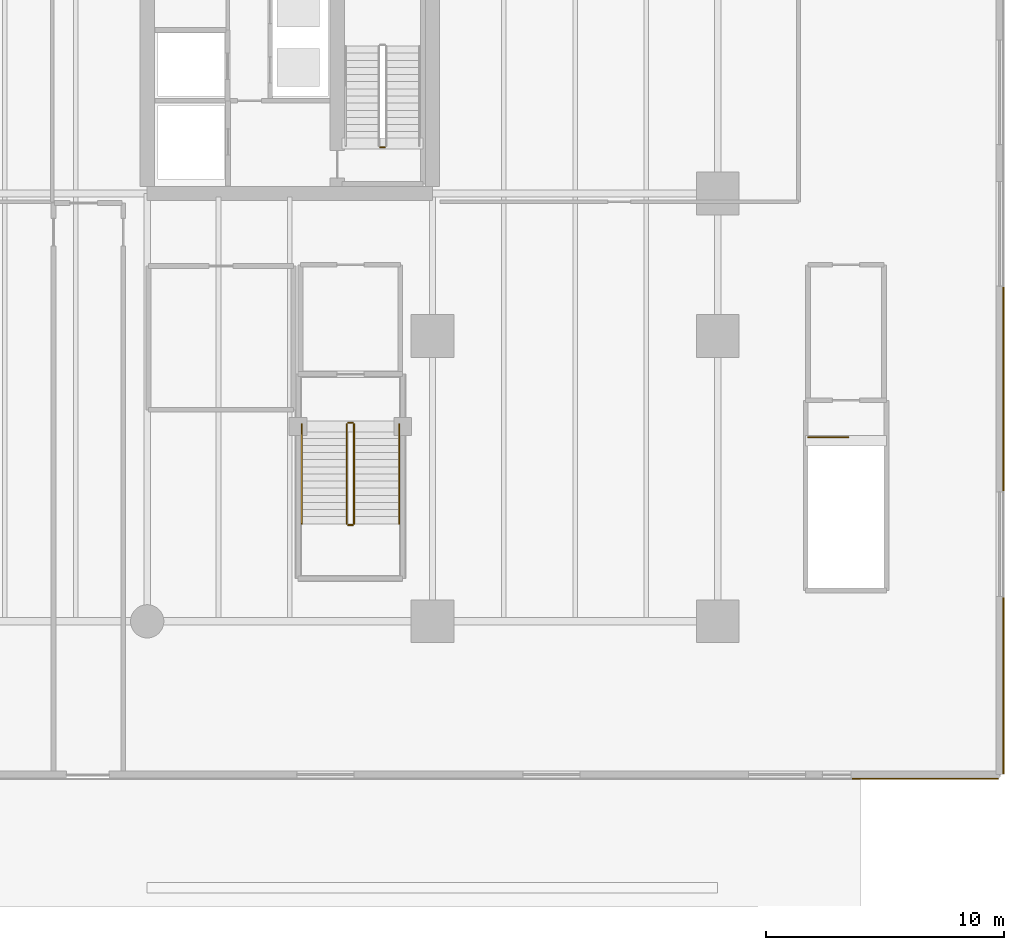
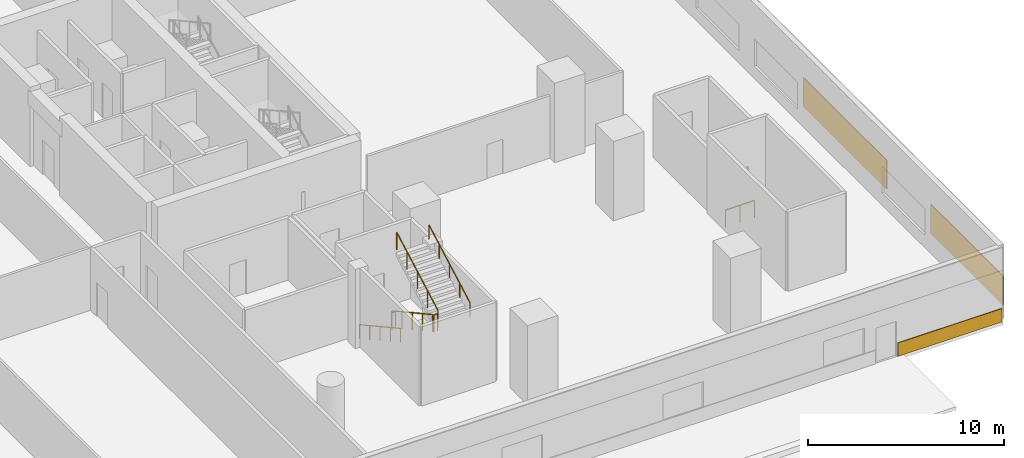
# One storey, part 22 of 25: 8 railings, 3 coverings.
"""IFC4 building model written with IfcOpenShell, lengths in metres."""

from ifc_helpers import new_model, si_unit, direction, frame, origin, origin_2d, place, context, subcontext, project, spatial, rectangle, extrude, material, layer, layer_set, type_object, element, save


model = new_model("IFC4")

# Units and contexts
model_context = context("Model", 3, precision=1e-05, world=origin(), true_north=direction((0.0, 1.0)))
body_context = subcontext(model_context, "Body", "Model", "MODEL_VIEW")
ifc_project = project(units=[si_unit("LENGTHUNIT", "METRE"), si_unit("AREAUNIT", "SQUARE_METRE"), si_unit("VOLUMEUNIT", "CUBIC_METRE"), si_unit("PLANEANGLEUNIT", "RADIAN"), si_unit("MASSUNIT", "GRAM", prefix="KILO")], contexts=[model_context])

# Site, building, storey
site_placement = place(None, origin())
site = spatial("IfcSite", under=ifc_project, at=site_placement, CompositionType="ELEMENT")
building_placement = place(site_placement, origin())
building = spatial("IfcBuilding", under=site, at=building_placement, Name="Tanjung Sevakor Pilgrim Tower", CompositionType="ELEMENT")
storey_placement = place(building_placement, origin())
storey = spatial("IfcBuildingStorey", under=building, at=storey_placement, Name="L01", CompositionType="ELEMENT", Elevation=0.0)

# Coverings
ifc_material_1 = material(Name="Reconstructed Limestone Cladding", Category="masonry")
ifc_layer = layer(ifc_material_1, 0.044921875)
ifc_layer_set = layer_set([ifc_layer], Name="COV-CLAD-LIMESTONE")
covering_type = type_object("IfcCoveringType", Name="COV-CLAD-LIMESTONE", PredefinedType="CLADDING", material=ifc_layer_set)
covering_1_placement = place(storey_placement, frame((110.735107421875, -0.0224609375, 0.009765625), z_axis=(0.0, 0.0, 1.0), x_axis=(1.0, 0.0, 0.0)))
element("IfcCovering", 1, at=covering_1_placement, inside=storey, type_object=covering_type, Name="L01 Warm Limestone Sill Spandrel EW-L01-MAIN-1-8", PredefinedType="CLADDING", context=body_context, shape_type="SweptSolid", body=[
    extrude(rectangle(XDim=6.14990234375, YDim=0.044921875, at=origin_2d()), origin(), (0.0, 0.0, 1.0), 0.840087890625),
])
covering_2_placement = place(storey_placement, frame((114.0224609375, 3.89501953125, 0.849853515625), z_axis=(0.0, 0.0, 1.0), x_axis=(0.0, 1.0, 0.0)))
element("IfcCovering", 2, at=covering_2_placement, inside=storey, type_object=covering_type, Name="L01 Warm Limestone Pier Panel EW-L01-MAIN-2-1", PredefinedType="CLADDING", context=body_context, shape_type="SweptSolid", body=[
    extrude(rectangle(XDim=7.409912109375, YDim=0.044921875, at=origin_2d()), origin(), (0.0, 0.0, 1.0), 1.81005859375),
])
covering_3_placement = place(storey_placement, frame((114.0224609375, 16.375, 0.849853515625), z_axis=(0.0, 0.0, 1.0), x_axis=(0.0, 1.0, 0.0)))
element("IfcCovering", 3, at=covering_3_placement, inside=storey, type_object=covering_type, Name="L01 Warm Limestone Pier Panel EW-L01-MAIN-2-2", PredefinedType="CLADDING", context=body_context, shape_type="SweptSolid", body=[
    extrude(rectangle(XDim=8.550048828125, YDim=0.044921875, at=origin_2d()), origin(), (0.0, 0.0, 1.0), 1.81005859375),
])

# Railings
ifc_material_2 = material(Name="Steel S355J2", Category="steel")
railing_type_1 = type_object("IfcRailingType", Name="RL-STAIR-GUARD", PredefinedType="GUARDRAIL", material=ifc_material_2)
railing_1_placement = place(storey_placement, frame((88.0, 26.550048828125, 0.0)))
element("IfcRailing", 4, at=railing_1_placement, inside=storey, type_object=railing_type_1, Name="L01 TS-E1 stair guard 4", PredefinedType="GUARDRAIL", context=body_context, shape_type="SweptSolid", body=[
    extrude(rectangle(XDim=0.0479, YDim=0.0479), frame((0.0, 0.0, 1.076171875), z_axis=(-1.0, 0.0, 0.0), x_axis=(0.0, -1.0, 0.0)), (0.0, 0.0, 1.0), 0.199951171875),
    extrude(rectangle(XDim=0.042, YDim=0.042), origin(), (0.0, 0.0, 1.0), 1.052001953125),
    extrude(rectangle(XDim=0.042, YDim=0.042), frame((-0.199951171875, 0.0, 0.0)), (0.0, 0.0, 1.0), 1.052001953125),
])
railing_2_placement = place(storey_placement, frame((86.39990234375, 14.89990234375, 0.1650390625)))
element("IfcRailing", 5, at=railing_2_placement, inside=storey, type_object=railing_type_1, Name="L01 PS-5 stair guard 1", PredefinedType="GUARDRAIL", context=body_context, shape_type="SweptSolid", body=[
    extrude(rectangle(XDim=0.0479, YDim=0.0479), frame((0.0, 0.0, 1.076171875), z_axis=(0.0, -0.876208380975, 0.481932436249), x_axis=(1.0, 0.0, 0.0)), (0.0, 0.0, 1.0), 4.793212890625),
    extrude(rectangle(XDim=0.042, YDim=0.042), origin(), (0.0, 0.0, 1.0), 1.052001953125),
    extrude(rectangle(XDim=0.042, YDim=0.042), frame((0.0, -1.050048828125, 0.57763671875)), (0.0, 0.0, 1.0), 1.052001953125),
    extrude(rectangle(XDim=0.042, YDim=0.042), frame((0.0, -2.10009765625, 1.155029296875)), (0.0, 0.0, 1.0), 1.052001953125),
    extrude(rectangle(XDim=0.042, YDim=0.042), frame((0.0, -3.14990234375, 1.732421875)), (0.0, 0.0, 1.0), 1.052001953125),
    extrude(rectangle(XDim=0.042, YDim=0.042), frame((0.0, -4.199951171875, 2.31005859375)), (0.0, 0.0, 1.0), 1.052001953125),
])
railing_3_placement = place(storey_placement, frame((86.449951171875, 10.64990234375, 2.47509765625)))
element("IfcRailing", 6, at=railing_3_placement, inside=storey, type_object=railing_type_1, Name="L01 PS-5 stair guard 2", PredefinedType="GUARDRAIL", context=body_context, shape_type="SweptSolid", body=[
    extrude(rectangle(XDim=0.0479, YDim=0.0479), frame((0.0, 0.0, 1.076171875), z_axis=(1.0, 0.0, 0.0), x_axis=(0.0, 1.0, 0.0)), (0.0, 0.0, 1.0), 0.199951171875),
    extrude(rectangle(XDim=0.042, YDim=0.042), origin(), (0.0, 0.0, 1.0), 1.052001953125),
    extrude(rectangle(XDim=0.042, YDim=0.042), frame((0.199951171875, 0.0, 0.0)), (0.0, 0.0, 1.0), 1.052001953125),
])
railing_4_placement = place(storey_placement, frame((86.699951171875, 10.699951171875, 2.639892578125)))
element("IfcRailing", 7, at=railing_4_placement, inside=storey, type_object=railing_type_1, Name="L01 PS-5 stair guard 3", PredefinedType="GUARDRAIL", context=body_context, shape_type="SweptSolid", body=[
    extrude(rectangle(XDim=0.0479, YDim=0.0479), frame((0.0, 0.0, 1.076171875), z_axis=(0.0, 0.876208380975, 0.481932436249), x_axis=(-1.0, 0.0, 0.0)), (0.0, 0.0, 1.0), 4.793212890625),
    extrude(rectangle(XDim=0.042, YDim=0.042), origin(), (0.0, 0.0, 1.0), 1.052001953125),
    extrude(rectangle(XDim=0.042, YDim=0.042), frame((0.0, 1.050048828125, 0.57763671875)), (0.0, 0.0, 1.0), 1.052001953125),
    extrude(rectangle(XDim=0.042, YDim=0.042), frame((0.0, 2.10009765625, 1.155029296875)), (0.0, 0.0, 1.0), 1.052001953125),
    extrude(rectangle(XDim=0.042, YDim=0.042), frame((0.0, 3.14990234375, 1.732421875)), (0.0, 0.0, 1.0), 1.052001953125),
    extrude(rectangle(XDim=0.042, YDim=0.042), frame((0.0, 4.199951171875, 2.31005859375)), (0.0, 0.0, 1.0), 1.052001953125),
])
railing_5_placement = place(storey_placement, frame((86.449951171875, 14.949951171875, 0.0)))
element("IfcRailing", 8, at=railing_5_placement, inside=storey, type_object=railing_type_1, Name="L01 PS-5 stair guard 4", PredefinedType="GUARDRAIL", context=body_context, shape_type="SweptSolid", body=[
    extrude(rectangle(XDim=0.0479, YDim=0.0479), frame((0.0, 0.0, 1.076171875), z_axis=(1.0, 0.0, 0.0), x_axis=(0.0, 1.0, 0.0)), (0.0, 0.0, 1.0), 0.199951171875),
    extrude(rectangle(XDim=0.042, YDim=0.042), origin(), (0.0, 0.0, 1.0), 1.052001953125),
    extrude(rectangle(XDim=0.042, YDim=0.042), frame((0.199951171875, 0.0, 0.0)), (0.0, 0.0, 1.0), 1.052001953125),
])
railing_6_placement = place(storey_placement, frame((105.800048828125, 14.35009765625, 0.0)))
element("IfcRailing", 9, at=railing_6_placement, inside=storey, type_object=railing_type_1, Name="L01 BS-3 top well guard 1", PredefinedType="GUARDRAIL", context=body_context, shape_type="SweptSolid", body=[
    extrude(rectangle(XDim=0.0479, YDim=0.0479), frame((0.0, 0.0, 1.076171875), z_axis=(1.0, 0.0, 0.0), x_axis=(0.0, 1.0, 0.0)), (0.0, 0.0, 1.0), 1.699951171875),
    extrude(rectangle(XDim=0.042, YDim=0.042), origin(), (0.0, 0.0, 1.0), 1.052001953125),
    extrude(rectangle(XDim=0.042, YDim=0.042), frame((0.85009765625, 0.0, 0.0)), (0.0, 0.0, 1.0), 1.052001953125),
    extrude(rectangle(XDim=0.042, YDim=0.042), frame((1.699951171875, 0.0, 0.0)), (0.0, 0.0, 1.0), 1.052001953125),
])
ifc_material_3 = material(Name="Steel S355J2", Category="steel")
railing_type_2 = type_object("IfcRailingType", Name="RL-STAIR-HAND", PredefinedType="HANDRAIL", material=ifc_material_3)
railing_7_placement = place(storey_placement, frame((84.5, 14.89990234375, 0.1650390625)))
element("IfcRailing", 10, at=railing_7_placement, inside=storey, type_object=railing_type_2, Name="L01 PS-5 stair handrail 1", PredefinedType="HANDRAIL", context=body_context, shape_type="SweptSolid", body=[
    extrude(rectangle(XDim=0.0479, YDim=0.0479), frame((0.0, 0.0, 0.8759765625), z_axis=(0.0, -0.876208380975, 0.481932436249), x_axis=(1.0, 0.0, 0.0)), (0.0, 0.0, 1.0), 4.793212890625),
    extrude(rectangle(XDim=0.042, YDim=0.042), origin(), (0.0, 0.0, 1.0), 0.851806640625),
    extrude(rectangle(XDim=0.042, YDim=0.042), frame((0.0, -1.050048828125, 0.57763671875)), (0.0, 0.0, 1.0), 0.851806640625),
    extrude(rectangle(XDim=0.042, YDim=0.042), frame((0.0, -2.10009765625, 1.155029296875)), (0.0, 0.0, 1.0), 0.851806640625),
    extrude(rectangle(XDim=0.042, YDim=0.042), frame((0.0, -3.14990234375, 1.732421875)), (0.0, 0.0, 1.0), 0.851806640625),
    extrude(rectangle(XDim=0.042, YDim=0.042), frame((0.0, -4.199951171875, 2.31005859375)), (0.0, 0.0, 1.0), 0.851806640625),
])
railing_8_placement = place(storey_placement, frame((88.60009765625, 10.699951171875, 2.639892578125)))
element("IfcRailing", 11, at=railing_8_placement, inside=storey, type_object=railing_type_2, Name="L01 PS-5 stair handrail 2", PredefinedType="HANDRAIL", context=body_context, shape_type="SweptSolid", body=[
    extrude(rectangle(XDim=0.0479, YDim=0.0479), frame((0.0, 0.0, 0.8759765625), z_axis=(0.0, 0.876208380975, 0.481932436249), x_axis=(-1.0, 0.0, 0.0)), (0.0, 0.0, 1.0), 4.793212890625),
    extrude(rectangle(XDim=0.042, YDim=0.042), origin(), (0.0, 0.0, 1.0), 0.851806640625),
    extrude(rectangle(XDim=0.042, YDim=0.042), frame((0.0, 1.050048828125, 0.57763671875)), (0.0, 0.0, 1.0), 0.851806640625),
    extrude(rectangle(XDim=0.042, YDim=0.042), frame((0.0, 2.10009765625, 1.155029296875)), (0.0, 0.0, 1.0), 0.851806640625),
    extrude(rectangle(XDim=0.042, YDim=0.042), frame((0.0, 3.14990234375, 1.732421875)), (0.0, 0.0, 1.0), 0.851806640625),
    extrude(rectangle(XDim=0.042, YDim=0.042), frame((0.0, 4.199951171875, 2.31005859375)), (0.0, 0.0, 1.0), 0.851806640625),
])

save(model, "model.ifc")
